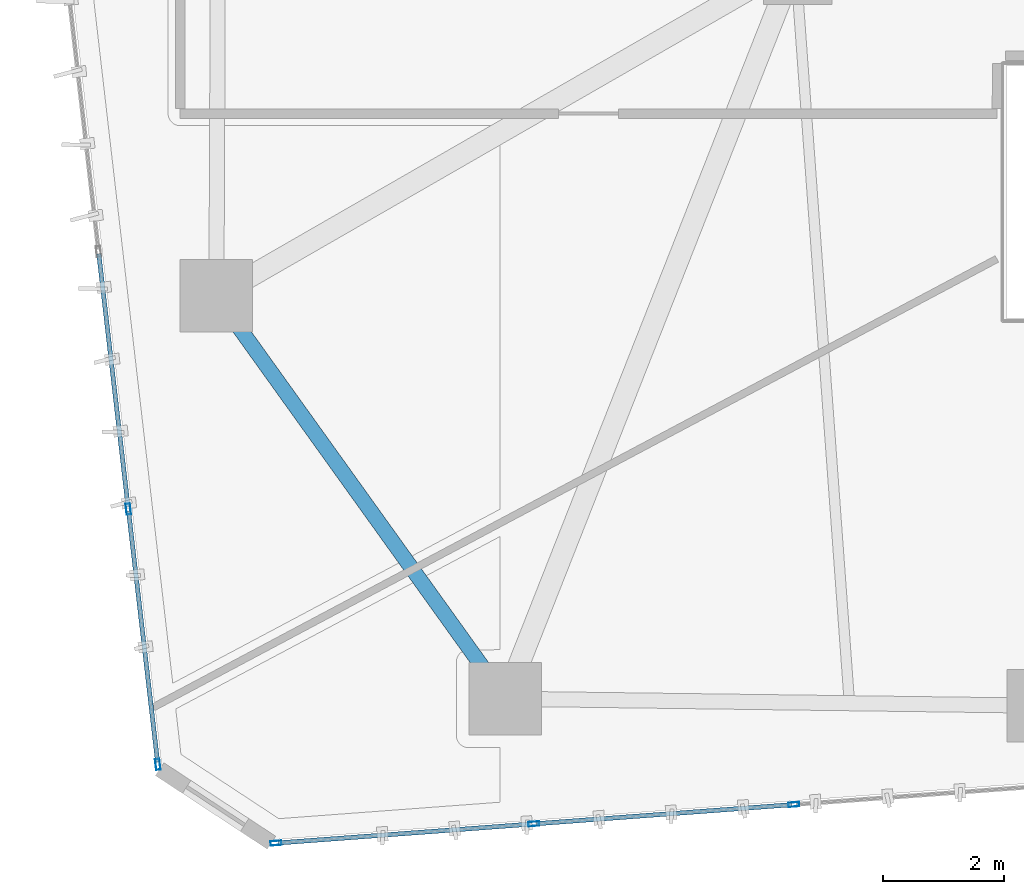
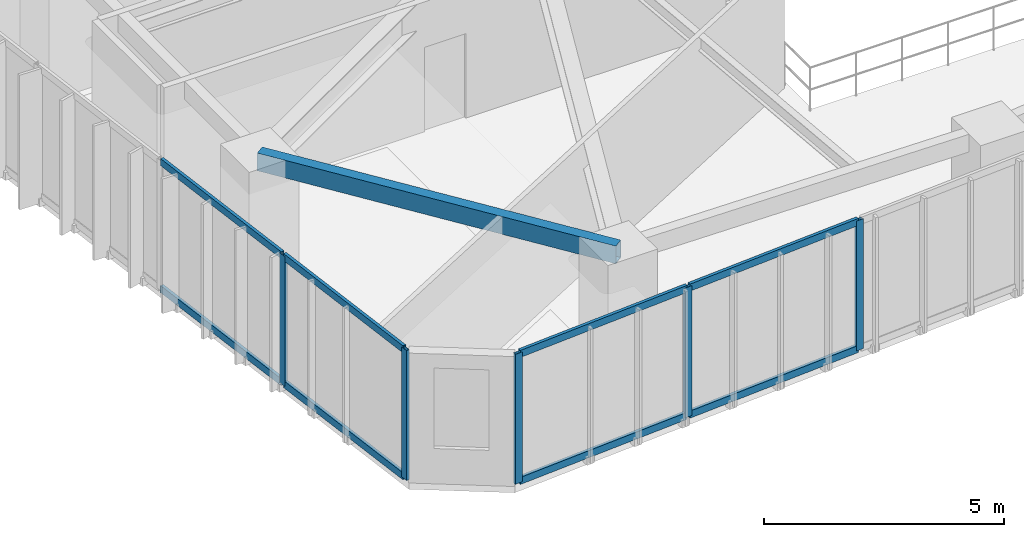
# One storey, part 2 of 23: 13 members, 1 beam, 2 elements without a shape of their own.
"""IFC4 building model written with IfcOpenShell, lengths in metres."""

from ifc_helpers import new_model, si_unit, direction, frame, origin, origin_2d, place, context, subcontext, project, spatial, hollow_rectangle, extrude, source, transform, mapped, material, layer, layer_set, material_profile, profile_set, type_object, type_shapes, element, aggregate, save


model = new_model("IFC4")

# Units and contexts
model_context = context("Model", 3, precision=1e-05, world=origin(), true_north=direction((0.0, 1.0)))
body_context = subcontext(model_context, "Body", "Model", "MODEL_VIEW")
ifc_project = project(units=[si_unit("LENGTHUNIT", "METRE"), si_unit("AREAUNIT", "SQUARE_METRE"), si_unit("VOLUMEUNIT", "CUBIC_METRE"), si_unit("PLANEANGLEUNIT", "RADIAN"), si_unit("MASSUNIT", "GRAM", prefix="KILO")], contexts=[model_context])

# Site, building, storey
site_placement = place(None, origin())
site = spatial("IfcSite", under=ifc_project, at=site_placement, CompositionType="ELEMENT")
building_placement = place(site_placement, origin())
building = spatial("IfcBuilding", under=site, at=building_placement, Name="Talar Marvaseh", CompositionType="ELEMENT")
storey_placement = place(building_placement, frame((0.0, 0.0, 103.800048828125)))
storey = spatial("IfcBuildingStorey", under=building, at=storey_placement, Name="L26", CompositionType="ELEMENT", Elevation=103.800048828125)

# Beam
ifc_material_1 = material(Name="Steel S355", Category="steel")
ifc_material_profile_1 = material_profile(ifc_material_1, hollow_rectangle(XDim=0.25, YDim=0.449951171875, WallThickness=0.01611328125, at=origin_2d()), Name="RHS450x250x16")
ifc_profile_set_1 = profile_set([ifc_material_profile_1], Name="Steel S355")
beam_type = type_object("IfcBeamType", Name="Zone 2 Perimeter Spandrel Beam RHS450x250x16", PredefinedType="SPANDREL", material=ifc_profile_set_1)
beam_placement = place(storey_placement, frame((13.89111328125, 13.299072265625, 3.0849609375), z_axis=(-0.582852871994, 0.812577706812, 0.0), x_axis=(-0.812577706812, -0.582852871994, 0.0)))
element("IfcBeam", 1, at=beam_placement, inside=storey, type_object=beam_type, Name="L26 Zone 2 Perimeter Spandrel Beam RHS450x250x16", PredefinedType="SPANDREL", context=body_context, shape_type="SweptSolid", body=[
    extrude(hollow_rectangle(XDim=0.25, YDim=0.449951171875, WallThickness=0.01611328125, at=origin_2d()), origin(), (0.0, 0.0, 1.0), 8.21826171875),
])

# Curtain wall, members
ifc_material_2 = material(Name="Architectural Aluminium", Category="aluminium")
ifc_layer = layer(ifc_material_2, 0.199951171875)
ifc_layer_set = layer_set([ifc_layer], Name="Architectural Aluminium")
curtain_wall_type = type_object("IfcCurtainWallType", Name="Unitised Acoustic Library Curtain Wall Z2", PredefinedType="NOTDEFINED", material=ifc_layer_set)
curtain_wall_1_placement = place(storey_placement, origin())
curtain_wall_1 = element("IfcCurtainWall", 2, at=curtain_wall_1_placement, inside=storey, type_object=curtain_wall_type, Name="L26 Unitised Acoustic Library Curtain Wall Z2", PredefinedType="NOTDEFINED")
ifc_material_profile_2 = material_profile(ifc_material_2, hollow_rectangle(XDim=0.074951171875, YDim=0.179931640625, WallThickness=0.0048828125, at=origin_2d()), Name="RHS180x75x5")
ifc_profile_set_2 = profile_set([ifc_material_profile_2], Name="Architectural Aluminium")
member_type_1 = type_object("IfcMemberType", Name="Unitised Curtain Wall Standard Mullion RHS180x75x5", PredefinedType="MULLION", material=ifc_profile_set_2)
shared_shape_1 = source(origin(), body_context, "Body", "SweptSolid", [
    extrude(hollow_rectangle(XDim=0.074951171875, YDim=0.179931640625, WallThickness=0.0048828125, at=origin_2d()), origin(), (0.0, 0.0, 1.0), 3.31005859375),
])
type_shapes(member_type_1, [shared_shape_1])
member_1_placement = place(storey_placement, frame((8.13037109375, 12.2109375, 0.0), z_axis=(0.0, 0.0, 1.0), x_axis=(-0.99338052626, -0.114870057226, 0.0)))
member_1 = element("IfcMember", 3, at=member_1_placement, type_object=member_type_1, Name="CW-Z2 mullion 1", PredefinedType="MULLION", context=body_context, shape_type="MappedRepresentation", body=[
    mapped(shared_shape_1, transform((0.0, 0.0, 0.0), x_axis=(1.0, 0.0, 0.0), y_axis=(0.0, 1.0, 0.0), z_axis=(0.0, 0.0, 1.0), scale=1.0)),
])
member_2_placement = place(storey_placement, frame((7.64111328125, 16.443359375, 0.0), z_axis=(0.0, 0.0, 1.0), x_axis=(-0.99338052626, -0.114870057226, 0.0)))
member_2 = element("IfcMember", 4, at=member_2_placement, type_object=member_type_1, Name="CW-Z2 mullion 2", PredefinedType="MULLION", context=body_context, shape_type="MappedRepresentation", body=[
    mapped(shared_shape_1, transform((0.0, 0.0, 0.0), x_axis=(1.0, 0.0, 0.0), y_axis=(0.0, 1.0, 0.0), z_axis=(0.0, 0.0, 1.0), scale=1.0)),
])

curtain_wall_2_placement = place(storey_placement, origin())
curtain_wall_2 = element("IfcCurtainWall", 5, at=curtain_wall_2_placement, inside=storey, type_object=curtain_wall_type, Name="L26 Unitised Acoustic Library Curtain Wall Z2", PredefinedType="NOTDEFINED")
member_3_placement = place(storey_placement, frame((18.67431640625, 11.54541015625, 0.0), z_axis=(0.0, 0.0, 1.0), x_axis=(0.07426324175, -0.997238672999, 0.0)))
member_3 = element("IfcMember", 6, at=member_3_placement, type_object=member_type_1, Name="CW-Z2 mullion 4", PredefinedType="MULLION", context=body_context, shape_type="MappedRepresentation", body=[
    mapped(shared_shape_1, transform((0.0, 0.0, 0.0), x_axis=(1.0, 0.0, 0.0), y_axis=(0.0, 1.0, 0.0), z_axis=(0.0, 0.0, 1.0), scale=1.0)),
])
member_4_placement = place(storey_placement, frame((14.362548828125, 11.224365234375, 0.0), z_axis=(0.0, 0.0, 1.0), x_axis=(0.07426324175, -0.997238672999, 0.0)))
member_4 = element("IfcMember", 7, at=member_4_placement, type_object=member_type_1, Name="CW-Z2 mullion 5", PredefinedType="MULLION", context=body_context, shape_type="MappedRepresentation", body=[
    mapped(shared_shape_1, transform((0.0, 0.0, 0.0), x_axis=(1.0, 0.0, 0.0), y_axis=(0.0, 1.0, 0.0), z_axis=(0.0, 0.0, 1.0), scale=1.0)),
])
member_5_placement = place(storey_placement, frame((10.08837890625, 10.906005859375, 0.0), z_axis=(0.0, 0.0, 1.0), x_axis=(0.07426324175, -0.997238672999, 0.0)))
member_5 = element("IfcMember", 8, at=member_5_placement, type_object=member_type_1, Name="CW-Z2 mullion 6", PredefinedType="MULLION", context=body_context, shape_type="MappedRepresentation", body=[
    mapped(shared_shape_1, transform((0.0, 0.0, 0.0), x_axis=(1.0, 0.0, 0.0), y_axis=(0.0, 1.0, 0.0), z_axis=(0.0, 0.0, 1.0), scale=1.0)),
])

# Member
ifc_material_profile_3 = material_profile(ifc_material_2, hollow_rectangle(XDim=0.074951171875, YDim=0.179931640625, WallThickness=0.0048828125, at=origin_2d()), Name="RHS180x75x5")
ifc_profile_set_3 = profile_set([ifc_material_profile_3], Name="Architectural Aluminium")
member_type_2 = type_object("IfcMemberType", Name="Unitised Curtain Wall Transom RHS180x75x5", PredefinedType="USERDEFINED", material=ifc_profile_set_3)
shared_shape_2 = source(origin(), body_context, "Body", "SweptSolid", [
    extrude(hollow_rectangle(XDim=0.074951171875, YDim=0.179931640625, WallThickness=0.0048828125, at=origin_2d()), origin(), (0.0, 0.0, 1.0), 4.185302734375),
])
member_6_placement = place(storey_placement, frame((8.126220703125, 12.248291015625, 0.037353515625), z_axis=(-0.114854364589, 0.99338234076, 0.0), x_axis=(-0.99338234076, -0.114854364589, 0.0)))
member_6 = element("IfcMember", 9, at=member_6_placement, type_object=member_type_2, Name="CW-Z2 transom 1.1", ObjectType="TRANSOM", PredefinedType="USERDEFINED", context=body_context, shape_type="MappedRepresentation", body=[
    mapped(shared_shape_2, transform((0.0, 0.0, 0.0), x_axis=(1.0, 0.0, 0.0), y_axis=(0.0, 1.0, 0.0), z_axis=(0.0, 0.0, 1.0), scale=1.0)),
])

member_7_placement = place(storey_placement, frame((8.126220703125, 12.248291015625, 3.2724609375), z_axis=(-0.114854364589, 0.99338234076, 0.0), x_axis=(-0.99338234076, -0.114854364589, 0.0)))
member_7 = element("IfcMember", 10, at=member_7_placement, type_object=member_type_2, Name="CW-Z2 transom 1.2", ObjectType="TRANSOM", PredefinedType="USERDEFINED", context=body_context, shape_type="MappedRepresentation", body=[
    mapped(shared_shape_2, transform((0.0, 0.0, 0.0), x_axis=(1.0, 0.0, 0.0), y_axis=(0.0, 1.0, 0.0), z_axis=(0.0, 0.0, 1.0), scale=1.0)),
])

shared_shape_3 = source(origin(), body_context, "Body", "SweptSolid", [
    extrude(hollow_rectangle(XDim=0.074951171875, YDim=0.179931640625, WallThickness=0.0048828125, at=origin_2d()), origin(), (0.0, 0.0, 1.0), 4.22314453125),
])
member_8_placement = place(storey_placement, frame((7.63671875, 16.48046875, 0.037353515625), z_axis=(-0.114872062212, 0.993380294411, 0.0), x_axis=(-0.993380294411, -0.114872062212, 0.0)))
member_8 = element("IfcMember", 11, at=member_8_placement, type_object=member_type_2, Name="CW-Z2 transom 2.1", ObjectType="TRANSOM", PredefinedType="USERDEFINED", context=body_context, shape_type="MappedRepresentation", body=[
    mapped(shared_shape_3, transform((0.0, 0.0, 0.0), x_axis=(1.0, 0.0, 0.0), y_axis=(0.0, 1.0, 0.0), z_axis=(0.0, 0.0, 1.0), scale=1.0)),
])

member_9_placement = place(storey_placement, frame((7.63671875, 16.48046875, 3.2724609375), z_axis=(-0.114872062212, 0.993380294411, 0.0), x_axis=(-0.993380294411, -0.114872062212, 0.0)))
member_9 = element("IfcMember", 12, at=member_9_placement, type_object=member_type_2, Name="CW-Z2 transom 2.2", ObjectType="TRANSOM", PredefinedType="USERDEFINED", context=body_context, shape_type="MappedRepresentation", body=[
    mapped(shared_shape_3, transform((0.0, 0.0, 0.0), x_axis=(1.0, 0.0, 0.0), y_axis=(0.0, 1.0, 0.0), z_axis=(0.0, 0.0, 1.0), scale=1.0)),
])

aggregate(curtain_wall_1, [member_1, member_2, member_6, member_7, member_8, member_9])

shared_shape_4 = source(origin(), body_context, "Body", "SweptSolid", [
    extrude(hollow_rectangle(XDim=0.074951171875, YDim=0.179931640625, WallThickness=0.0048828125, at=origin_2d()), origin(), (0.0, 0.0, 1.0), 4.211181640625),
])
member_10_placement = place(storey_placement, frame((14.3251953125, 11.221435546875, 0.037353515625), z_axis=(-0.997238411571, -0.074266752237, 0.0), x_axis=(0.074266752237, -0.997238411571, 0.0)))
member_10 = element("IfcMember", 13, at=member_10_placement, type_object=member_type_2, Name="CW-Z2 transom 5.1", ObjectType="TRANSOM", PredefinedType="USERDEFINED", context=body_context, shape_type="MappedRepresentation", body=[
    mapped(shared_shape_4, transform((0.0, 0.0, 0.0), x_axis=(1.0, 0.0, 0.0), y_axis=(0.0, 1.0, 0.0), z_axis=(0.0, 0.0, 1.0), scale=1.0)),
])

member_11_placement = place(storey_placement, frame((14.3251953125, 11.221435546875, 3.2724609375), z_axis=(-0.997238411571, -0.074266752237, 0.0), x_axis=(0.074266752237, -0.997238411571, 0.0)))
member_11 = element("IfcMember", 14, at=member_11_placement, type_object=member_type_2, Name="CW-Z2 transom 5.2", ObjectType="TRANSOM", PredefinedType="USERDEFINED", context=body_context, shape_type="MappedRepresentation", body=[
    mapped(shared_shape_4, transform((0.0, 0.0, 0.0), x_axis=(1.0, 0.0, 0.0), y_axis=(0.0, 1.0, 0.0), z_axis=(0.0, 0.0, 1.0), scale=1.0)),
])

shared_shape_5 = source(origin(), body_context, "Body", "SweptSolid", [
    extrude(hollow_rectangle(XDim=0.074951171875, YDim=0.179931640625, WallThickness=0.0048828125, at=origin_2d()), origin(), (0.0, 0.0, 1.0), 4.24853515625),
])
type_shapes(member_type_2, [shared_shape_2, shared_shape_3, shared_shape_4, shared_shape_5])
member_12_placement = place(storey_placement, frame((18.63671875, 11.54248046875, 0.037353515625), z_axis=(-0.997240089338, -0.074244220089, 0.0), x_axis=(0.074244220089, -0.997240089338, 0.0)))
member_12 = element("IfcMember", 15, at=member_12_placement, type_object=member_type_2, Name="CW-Z2 transom 4.1", ObjectType="TRANSOM", PredefinedType="USERDEFINED", context=body_context, shape_type="MappedRepresentation", body=[
    mapped(shared_shape_5, transform((0.0, 0.0, 0.0), x_axis=(1.0, 0.0, 0.0), y_axis=(0.0, 1.0, 0.0), z_axis=(0.0, 0.0, 1.0), scale=1.0)),
])

member_13_placement = place(storey_placement, frame((18.63671875, 11.54248046875, 3.2724609375), z_axis=(-0.997240089338, -0.074244220089, 0.0), x_axis=(0.074244220089, -0.997240089338, 0.0)))
member_13 = element("IfcMember", 16, at=member_13_placement, type_object=member_type_2, Name="CW-Z2 transom 4.2", ObjectType="TRANSOM", PredefinedType="USERDEFINED", context=body_context, shape_type="MappedRepresentation", body=[
    mapped(shared_shape_5, transform((0.0, 0.0, 0.0), x_axis=(1.0, 0.0, 0.0), y_axis=(0.0, 1.0, 0.0), z_axis=(0.0, 0.0, 1.0), scale=1.0)),
])

aggregate(curtain_wall_2, [member_3, member_4, member_5, member_12, member_13, member_10, member_11])

save(model, "model.ifc")
